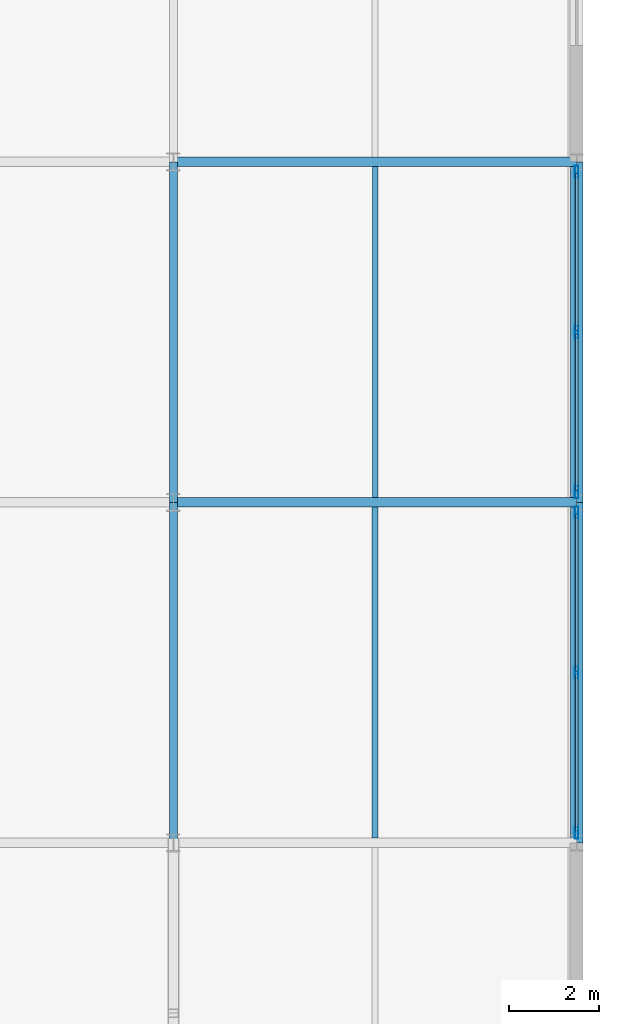
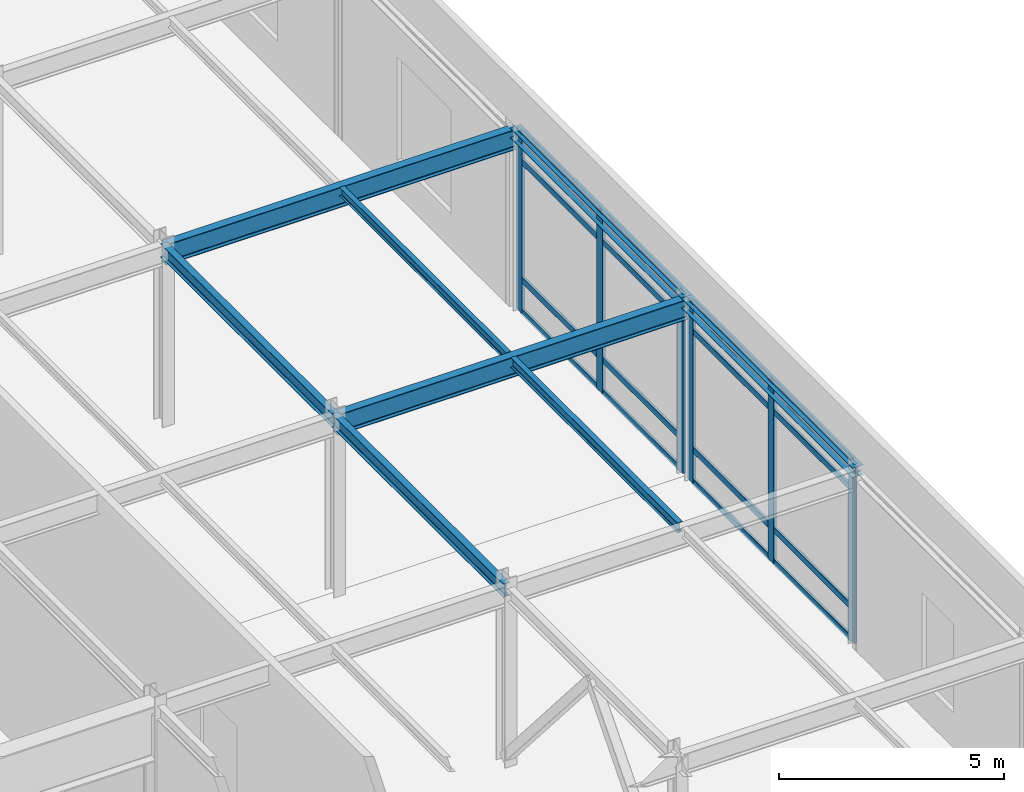
# One storey, part 46 of 79: 22 members, 8 beams, 2 elements without a shape of their own.
"""IFC4 building model written with IfcOpenShell, lengths in metres."""

from ifc_helpers import new_model, si_unit, direction, frame, origin, origin_2d, place, context, subcontext, project, spatial, hollow_rectangle, i_section, extrude, material, layer, layer_set, material_profile, profile_set, type_object, element, aggregate, save


model = new_model("IFC4")

# Units and contexts
model_context = context("Model", 3, precision=1e-05, world=origin(), true_north=direction((0.0, 1.0)))
body_context = subcontext(model_context, "Body", "Model", "MODEL_VIEW")
ifc_project = project(units=[si_unit("LENGTHUNIT", "METRE"), si_unit("AREAUNIT", "SQUARE_METRE"), si_unit("VOLUMEUNIT", "CUBIC_METRE"), si_unit("PLANEANGLEUNIT", "RADIAN"), si_unit("MASSUNIT", "GRAM", prefix="KILO")], contexts=[model_context])

# Site, building, storey
site_placement = place(None, origin())
site = spatial("IfcSite", under=ifc_project, at=site_placement, CompositionType="ELEMENT")
building_placement = place(site_placement, origin())
building = spatial("IfcBuilding", under=site, at=building_placement, Name="Shalkamar Park Central Library", CompositionType="ELEMENT")
storey_placement = place(building_placement, frame((0.0, 0.0, 10.5)))
storey = spatial("IfcBuildingStorey", under=building, at=storey_placement, Name="L03", CompositionType="ELEMENT", Elevation=10.5)

# Beams
ifc_material_1 = material(Name="Steel S355", Category="steel")
ifc_material_profile_1 = material_profile(ifc_material_1, i_section(OverallWidth=0.1201171875, OverallDepth=0.239990234375, WebThickness=0.006103515625, FlangeThickness=0.009765625, FilletRadius=0.014892578125, at=origin_2d()), Name="IPE 240")
ifc_profile_set_1 = profile_set([ifc_material_profile_1], Name="Steel S355")
beam_type_1 = type_object("IfcBeamType", Name="Composite Floor Joist IPE240", PredefinedType="JOIST", material=ifc_profile_set_1)
beam_1_placement = place(storey_placement, frame((268.5, 285.702880859375, 4.72998046875), z_axis=(0.0, 1.0, 0.0), x_axis=(-1.0, 0.0, 0.0)))
element("IfcBeam", 1, at=beam_1_placement, inside=storey, type_object=beam_type_1, Name="Composite Joist 19/G-1 (L03)", PredefinedType="JOIST", context=body_context, shape_type="SweptSolid", body=[
    extrude(i_section(OverallWidth=0.1201171875, OverallDepth=0.239990234375, WebThickness=0.006103515625, FlangeThickness=0.009765625, FilletRadius=0.014892578125, at=origin_2d()), origin(), (0.0, 0.0, 1.0), 7.39404296875),
])
ifc_material_profile_2 = material_profile(ifc_material_1, i_section(OverallWidth=0.135009765625, OverallDepth=0.27001953125, WebThickness=0.006591796875, FlangeThickness=0.01025390625, FilletRadius=0.014892578125, at=origin_2d()), Name="IPE 270")
ifc_profile_set_2 = profile_set([ifc_material_profile_2], Name="Steel S355")
beam_type_2 = type_object("IfcBeamType", Name="Composite Floor Joist IPE270", PredefinedType="JOIST", material=ifc_profile_set_2)
beam_2_placement = place(storey_placement, frame((268.5, 278.10302734375, 4.715087890625), z_axis=(0.0, 1.0, 0.0), x_axis=(-1.0, 0.0, 0.0)))
element("IfcBeam", 2, at=beam_2_placement, inside=storey, type_object=beam_type_2, Name="Composite Joist 19/F-1 (L03)", PredefinedType="JOIST", context=body_context, shape_type="SweptSolid", body=[
    extrude(i_section(OverallWidth=0.135009765625, OverallDepth=0.27001953125, WebThickness=0.006591796875, FlangeThickness=0.01025390625, FilletRadius=0.014892578125, at=origin_2d()), origin(), (0.0, 0.0, 1.0), 7.39404296875),
])

# Curtain wall, members
ifc_material_2 = material(Name="Thermally broken aluminium and triple low-e curtain wall", Category="aluminium")
ifc_layer_1 = layer(ifc_material_2, 0.2548828125)
ifc_layer_set_1 = layer_set([ifc_layer_1], Name="UnitisedCurtainWall_49")
curtain_wall_type_1 = type_object("IfcCurtainWallType", Name="Unitised Curtain Wall 49", PredefinedType="USERDEFINED", material=ifc_layer_set_1)
curtain_wall_1_placement = place(storey_placement, origin())
curtain_wall_1 = element("IfcCurtainWall", 3, at=curtain_wall_1_placement, inside=storey, type_object=curtain_wall_type_1, Name="Unitised Curtain Wall CW-L03-063", ObjectType="UNITISED CURTAIN WALL", PredefinedType="USERDEFINED")
ifc_material_3 = material(Name="Aluminium 6060-T66", Category="aluminium")
ifc_material_profile_3 = material_profile(ifc_material_3, hollow_rectangle(XDim=0.080078125, YDim=0.2548828125, WallThickness=0.00439453125, InnerFilletRadius=0.00439453125, OuterFilletRadius=0.0068359375, at=origin_2d()), Name="ALU 80x255x4.5")
ifc_profile_set_3 = profile_set([ifc_material_profile_3], Name="Aluminium 6060-T66")
member_type_1 = type_object("IfcMemberType", Name="Curtain Wall Mullion ALU80x255", PredefinedType="MULLION", material=ifc_profile_set_3)
member_1_placement = place(storey_placement, frame((273.0, 278.22412109375, 0.0), z_axis=(0.0, 0.0, 1.0), x_axis=(-1.0, 0.0, 0.0)))
member_1 = element("IfcMember", 4, at=member_1_placement, type_object=member_type_1, Name="CW-49 mullion 1", PredefinedType="MULLION", context=body_context, shape_type="SweptSolid", body=[
    extrude(hollow_rectangle(XDim=0.080078125, YDim=0.2548828125, WallThickness=0.00439453125, InnerFilletRadius=0.00439453125, OuterFilletRadius=0.0068359375, at=origin_2d()), origin(), (0.0, 0.0, 1.0), 4.85009765625),
])
member_2_placement = place(storey_placement, frame((273.0, 281.800048828125, 0.0), z_axis=(0.0, 0.0, 1.0), x_axis=(-1.0, 0.0, 0.0)))
member_2 = element("IfcMember", 5, at=member_2_placement, type_object=member_type_1, Name="CW-49 mullion 2", PredefinedType="MULLION", context=body_context, shape_type="SweptSolid", body=[
    extrude(hollow_rectangle(XDim=0.080078125, YDim=0.2548828125, WallThickness=0.00439453125, InnerFilletRadius=0.00439453125, OuterFilletRadius=0.0068359375, at=origin_2d()), origin(), (0.0, 0.0, 1.0), 4.85009765625),
])
member_3_placement = place(storey_placement, frame((273.0, 285.3759765625, 0.0), z_axis=(0.0, 0.0, 1.0), x_axis=(-1.0, 0.0, 0.0)))
member_3 = element("IfcMember", 6, at=member_3_placement, type_object=member_type_1, Name="CW-49 mullion 3", PredefinedType="MULLION", context=body_context, shape_type="SweptSolid", body=[
    extrude(hollow_rectangle(XDim=0.080078125, YDim=0.2548828125, WallThickness=0.00439453125, InnerFilletRadius=0.00439453125, OuterFilletRadius=0.0068359375, at=origin_2d()), origin(), (0.0, 0.0, 1.0), 4.85009765625),
])

ifc_layer_2 = layer(ifc_material_2, 0.27001953125)
ifc_layer_set_2 = layer_set([ifc_layer_2], Name="UnitisedCurtainWall_50")
curtain_wall_type_2 = type_object("IfcCurtainWallType", Name="Unitised Curtain Wall 50", PredefinedType="USERDEFINED", material=ifc_layer_set_2)
curtain_wall_2_placement = place(storey_placement, origin())
curtain_wall_2 = element("IfcCurtainWall", 7, at=curtain_wall_2_placement, inside=storey, type_object=curtain_wall_type_2, Name="Unitised Curtain Wall CW-L03-064", ObjectType="UNITISED CURTAIN WALL", PredefinedType="USERDEFINED")
ifc_material_profile_4 = material_profile(ifc_material_3, hollow_rectangle(XDim=0.080078125, YDim=0.27001953125, WallThickness=0.0048828125, InnerFilletRadius=0.0048828125, OuterFilletRadius=0.007568359375, at=origin_2d()), Name="ALU 80x270x5")
ifc_profile_set_4 = profile_set([ifc_material_profile_4], Name="Aluminium 6060-T66")
member_type_2 = type_object("IfcMemberType", Name="Curtain Wall Mullion ALU80x270", PredefinedType="MULLION", material=ifc_profile_set_4)
member_4_placement = place(storey_placement, frame((273.0, 285.823974609375, 0.0), z_axis=(0.0, 0.0, 1.0), x_axis=(-1.0, 0.0, 0.0)))
member_4 = element("IfcMember", 8, at=member_4_placement, type_object=member_type_2, Name="CW-50 mullion 1", PredefinedType="MULLION", context=body_context, shape_type="SweptSolid", body=[
    extrude(hollow_rectangle(XDim=0.080078125, YDim=0.27001953125, WallThickness=0.0048828125, InnerFilletRadius=0.0048828125, OuterFilletRadius=0.007568359375, at=origin_2d()), origin(), (0.0, 0.0, 1.0), 4.85009765625),
])
member_5_placement = place(storey_placement, frame((273.0, 289.39990234375, 0.0), z_axis=(0.0, 0.0, 1.0), x_axis=(-1.0, 0.0, 0.0)))
member_5 = element("IfcMember", 9, at=member_5_placement, type_object=member_type_2, Name="CW-50 mullion 2", PredefinedType="MULLION", context=body_context, shape_type="SweptSolid", body=[
    extrude(hollow_rectangle(XDim=0.080078125, YDim=0.27001953125, WallThickness=0.0048828125, InnerFilletRadius=0.0048828125, OuterFilletRadius=0.007568359375, at=origin_2d()), origin(), (0.0, 0.0, 1.0), 4.85009765625),
])
member_6_placement = place(storey_placement, frame((273.0, 292.97607421875, 0.0), z_axis=(0.0, 0.0, 1.0), x_axis=(-1.0, 0.0, 0.0)))
member_6 = element("IfcMember", 10, at=member_6_placement, type_object=member_type_2, Name="CW-50 mullion 3", PredefinedType="MULLION", context=body_context, shape_type="SweptSolid", body=[
    extrude(hollow_rectangle(XDim=0.080078125, YDim=0.27001953125, WallThickness=0.0048828125, InnerFilletRadius=0.0048828125, OuterFilletRadius=0.007568359375, at=origin_2d()), origin(), (0.0, 0.0, 1.0), 4.85009765625),
])

# Member
ifc_material_profile_5 = material_profile(ifc_material_3, hollow_rectangle(XDim=0.06494140625, YDim=0.169921875, WallThickness=0.00390625, InnerFilletRadius=0.00390625, OuterFilletRadius=0.006103515625, at=origin_2d()), Name="ALU 65x170x4")
ifc_profile_set_5 = profile_set([ifc_material_profile_5], Name="Aluminium 6060-T66")
member_type_3 = type_object("IfcMemberType", Name="Curtain Wall Transom ALU65x170", PredefinedType="USERDEFINED", material=ifc_profile_set_5)
member_7_placement = place(storey_placement, frame((273.0, 278.263916015625, 0.032470703125), z_axis=(0.0, 1.0, 0.0), x_axis=(-1.0, 0.0, 0.0)))
member_7 = element("IfcMember", 11, at=member_7_placement, type_object=member_type_3, Name="CW-49 transom 1.1", ObjectType="TRANSOM", PredefinedType="USERDEFINED", context=body_context, shape_type="SweptSolid", body=[
    extrude(hollow_rectangle(XDim=0.06494140625, YDim=0.169921875, WallThickness=0.00390625, InnerFilletRadius=0.00390625, OuterFilletRadius=0.006103515625, at=origin_2d()), origin(), (0.0, 0.0, 1.0), 3.49609375),
])

member_8_placement = place(storey_placement, frame((273.0, 278.263916015625, 0.89990234375), z_axis=(0.0, 1.0, 0.0), x_axis=(-1.0, 0.0, 0.0)))
member_8 = element("IfcMember", 12, at=member_8_placement, type_object=member_type_3, Name="CW-49 transom 1.2", ObjectType="TRANSOM", PredefinedType="USERDEFINED", context=body_context, shape_type="SweptSolid", body=[
    extrude(hollow_rectangle(XDim=0.06494140625, YDim=0.169921875, WallThickness=0.00390625, InnerFilletRadius=0.00390625, OuterFilletRadius=0.006103515625, at=origin_2d()), origin(), (0.0, 0.0, 1.0), 3.49609375),
])

member_9_placement = place(storey_placement, frame((273.0, 278.263916015625, 4.10009765625), z_axis=(0.0, 1.0, 0.0), x_axis=(-1.0, 0.0, 0.0)))
member_9 = element("IfcMember", 13, at=member_9_placement, type_object=member_type_3, Name="CW-49 transom 1.3", ObjectType="TRANSOM", PredefinedType="USERDEFINED", context=body_context, shape_type="SweptSolid", body=[
    extrude(hollow_rectangle(XDim=0.06494140625, YDim=0.169921875, WallThickness=0.00390625, InnerFilletRadius=0.00390625, OuterFilletRadius=0.006103515625, at=origin_2d()), origin(), (0.0, 0.0, 1.0), 3.49609375),
])

member_10_placement = place(storey_placement, frame((273.0, 278.263916015625, 4.8173828125), z_axis=(0.0, 1.0, 0.0), x_axis=(-1.0, 0.0, 0.0)))
member_10 = element("IfcMember", 14, at=member_10_placement, type_object=member_type_3, Name="CW-49 transom 1.4", ObjectType="TRANSOM", PredefinedType="USERDEFINED", context=body_context, shape_type="SweptSolid", body=[
    extrude(hollow_rectangle(XDim=0.06494140625, YDim=0.169921875, WallThickness=0.00390625, InnerFilletRadius=0.00390625, OuterFilletRadius=0.006103515625, at=origin_2d()), origin(), (0.0, 0.0, 1.0), 3.49609375),
])

member_11_placement = place(storey_placement, frame((273.0, 281.840087890625, 0.032470703125), z_axis=(0.0, 1.0, 0.0), x_axis=(-1.0, 0.0, 0.0)))
member_11 = element("IfcMember", 15, at=member_11_placement, type_object=member_type_3, Name="CW-49 transom 2.1", ObjectType="TRANSOM", PredefinedType="USERDEFINED", context=body_context, shape_type="SweptSolid", body=[
    extrude(hollow_rectangle(XDim=0.06494140625, YDim=0.169921875, WallThickness=0.00390625, InnerFilletRadius=0.00390625, OuterFilletRadius=0.006103515625, at=origin_2d()), origin(), (0.0, 0.0, 1.0), 3.495849609375),
])

member_12_placement = place(storey_placement, frame((273.0, 281.840087890625, 0.89990234375), z_axis=(0.0, 1.0, 0.0), x_axis=(-1.0, 0.0, 0.0)))
member_12 = element("IfcMember", 16, at=member_12_placement, type_object=member_type_3, Name="CW-49 transom 2.2", ObjectType="TRANSOM", PredefinedType="USERDEFINED", context=body_context, shape_type="SweptSolid", body=[
    extrude(hollow_rectangle(XDim=0.06494140625, YDim=0.169921875, WallThickness=0.00390625, InnerFilletRadius=0.00390625, OuterFilletRadius=0.006103515625, at=origin_2d()), origin(), (0.0, 0.0, 1.0), 3.495849609375),
])

member_13_placement = place(storey_placement, frame((273.0, 281.840087890625, 4.10009765625), z_axis=(0.0, 1.0, 0.0), x_axis=(-1.0, 0.0, 0.0)))
member_13 = element("IfcMember", 17, at=member_13_placement, type_object=member_type_3, Name="CW-49 transom 2.3", ObjectType="TRANSOM", PredefinedType="USERDEFINED", context=body_context, shape_type="SweptSolid", body=[
    extrude(hollow_rectangle(XDim=0.06494140625, YDim=0.169921875, WallThickness=0.00390625, InnerFilletRadius=0.00390625, OuterFilletRadius=0.006103515625, at=origin_2d()), origin(), (0.0, 0.0, 1.0), 3.495849609375),
])

member_14_placement = place(storey_placement, frame((273.0, 281.840087890625, 4.8173828125), z_axis=(0.0, 1.0, 0.0), x_axis=(-1.0, 0.0, 0.0)))
member_14 = element("IfcMember", 18, at=member_14_placement, type_object=member_type_3, Name="CW-49 transom 2.4", ObjectType="TRANSOM", PredefinedType="USERDEFINED", context=body_context, shape_type="SweptSolid", body=[
    extrude(hollow_rectangle(XDim=0.06494140625, YDim=0.169921875, WallThickness=0.00390625, InnerFilletRadius=0.00390625, OuterFilletRadius=0.006103515625, at=origin_2d()), origin(), (0.0, 0.0, 1.0), 3.495849609375),
])

aggregate(curtain_wall_1, [member_1, member_2, member_3, member_7, member_8, member_9, member_10, member_11, member_12, member_13, member_14])

ifc_material_profile_6 = material_profile(ifc_material_3, hollow_rectangle(XDim=0.06494140625, YDim=0.175048828125, WallThickness=0.00439453125, InnerFilletRadius=0.00439453125, OuterFilletRadius=0.0068359375, at=origin_2d()), Name="ALU 65x175x4.5")
ifc_profile_set_6 = profile_set([ifc_material_profile_6], Name="Aluminium 6060-T66")
member_type_4 = type_object("IfcMemberType", Name="Curtain Wall Transom ALU65x175", PredefinedType="USERDEFINED", material=ifc_profile_set_6)
member_15_placement = place(storey_placement, frame((273.0, 285.864013671875, 0.032470703125), z_axis=(0.0, 1.0, 0.0), x_axis=(-1.0, 0.0, 0.0)))
member_15 = element("IfcMember", 19, at=member_15_placement, type_object=member_type_4, Name="CW-50 transom 1.1", ObjectType="TRANSOM", PredefinedType="USERDEFINED", context=body_context, shape_type="SweptSolid", body=[
    extrude(hollow_rectangle(XDim=0.06494140625, YDim=0.175048828125, WallThickness=0.00439453125, InnerFilletRadius=0.00439453125, OuterFilletRadius=0.0068359375, at=origin_2d()), origin(), (0.0, 0.0, 1.0), 3.49609375),
])

member_16_placement = place(storey_placement, frame((273.0, 285.864013671875, 0.89990234375), z_axis=(0.0, 1.0, 0.0), x_axis=(-1.0, 0.0, 0.0)))
member_16 = element("IfcMember", 20, at=member_16_placement, type_object=member_type_4, Name="CW-50 transom 1.2", ObjectType="TRANSOM", PredefinedType="USERDEFINED", context=body_context, shape_type="SweptSolid", body=[
    extrude(hollow_rectangle(XDim=0.06494140625, YDim=0.175048828125, WallThickness=0.00439453125, InnerFilletRadius=0.00439453125, OuterFilletRadius=0.0068359375, at=origin_2d()), origin(), (0.0, 0.0, 1.0), 3.49609375),
])

member_17_placement = place(storey_placement, frame((273.0, 285.864013671875, 4.10009765625), z_axis=(0.0, 1.0, 0.0), x_axis=(-1.0, 0.0, 0.0)))
member_17 = element("IfcMember", 21, at=member_17_placement, type_object=member_type_4, Name="CW-50 transom 1.3", ObjectType="TRANSOM", PredefinedType="USERDEFINED", context=body_context, shape_type="SweptSolid", body=[
    extrude(hollow_rectangle(XDim=0.06494140625, YDim=0.175048828125, WallThickness=0.00439453125, InnerFilletRadius=0.00439453125, OuterFilletRadius=0.0068359375, at=origin_2d()), origin(), (0.0, 0.0, 1.0), 3.49609375),
])

member_18_placement = place(storey_placement, frame((273.0, 285.864013671875, 4.8173828125), z_axis=(0.0, 1.0, 0.0), x_axis=(-1.0, 0.0, 0.0)))
member_18 = element("IfcMember", 22, at=member_18_placement, type_object=member_type_4, Name="CW-50 transom 1.4", ObjectType="TRANSOM", PredefinedType="USERDEFINED", context=body_context, shape_type="SweptSolid", body=[
    extrude(hollow_rectangle(XDim=0.06494140625, YDim=0.175048828125, WallThickness=0.00439453125, InnerFilletRadius=0.00439453125, OuterFilletRadius=0.0068359375, at=origin_2d()), origin(), (0.0, 0.0, 1.0), 3.49609375),
])

member_19_placement = place(storey_placement, frame((273.0, 289.43994140625, 0.032470703125), z_axis=(0.0, 1.0, 0.0), x_axis=(-1.0, 0.0, 0.0)))
member_19 = element("IfcMember", 23, at=member_19_placement, type_object=member_type_4, Name="CW-50 transom 2.1", ObjectType="TRANSOM", PredefinedType="USERDEFINED", context=body_context, shape_type="SweptSolid", body=[
    extrude(hollow_rectangle(XDim=0.06494140625, YDim=0.175048828125, WallThickness=0.00439453125, InnerFilletRadius=0.00439453125, OuterFilletRadius=0.0068359375, at=origin_2d()), origin(), (0.0, 0.0, 1.0), 3.49609375),
])

member_20_placement = place(storey_placement, frame((273.0, 289.43994140625, 0.89990234375), z_axis=(0.0, 1.0, 0.0), x_axis=(-1.0, 0.0, 0.0)))
member_20 = element("IfcMember", 24, at=member_20_placement, type_object=member_type_4, Name="CW-50 transom 2.2", ObjectType="TRANSOM", PredefinedType="USERDEFINED", context=body_context, shape_type="SweptSolid", body=[
    extrude(hollow_rectangle(XDim=0.06494140625, YDim=0.175048828125, WallThickness=0.00439453125, InnerFilletRadius=0.00439453125, OuterFilletRadius=0.0068359375, at=origin_2d()), origin(), (0.0, 0.0, 1.0), 3.49609375),
])

member_21_placement = place(storey_placement, frame((273.0, 289.43994140625, 4.10009765625), z_axis=(0.0, 1.0, 0.0), x_axis=(-1.0, 0.0, 0.0)))
member_21 = element("IfcMember", 25, at=member_21_placement, type_object=member_type_4, Name="CW-50 transom 2.3", ObjectType="TRANSOM", PredefinedType="USERDEFINED", context=body_context, shape_type="SweptSolid", body=[
    extrude(hollow_rectangle(XDim=0.06494140625, YDim=0.175048828125, WallThickness=0.00439453125, InnerFilletRadius=0.00439453125, OuterFilletRadius=0.0068359375, at=origin_2d()), origin(), (0.0, 0.0, 1.0), 3.49609375),
])

member_22_placement = place(storey_placement, frame((273.0, 289.43994140625, 4.8173828125), z_axis=(0.0, 1.0, 0.0), x_axis=(-1.0, 0.0, 0.0)))
member_22 = element("IfcMember", 26, at=member_22_placement, type_object=member_type_4, Name="CW-50 transom 2.4", ObjectType="TRANSOM", PredefinedType="USERDEFINED", context=body_context, shape_type="SweptSolid", body=[
    extrude(hollow_rectangle(XDim=0.06494140625, YDim=0.175048828125, WallThickness=0.00439453125, InnerFilletRadius=0.00439453125, OuterFilletRadius=0.0068359375, at=origin_2d()), origin(), (0.0, 0.0, 1.0), 3.49609375),
])

aggregate(curtain_wall_2, [member_4, member_5, member_6, member_15, member_16, member_17, member_18, member_19, member_20, member_21, member_22])

# Beams
ifc_material_profile_7 = material_profile(ifc_material_1, i_section(OverallWidth=0.280029296875, OverallDepth=0.27001953125, WebThickness=0.008056640625, FlangeThickness=0.012939453125, FilletRadius=0.02392578125, at=origin_2d()), Name="HEA 280")
ifc_profile_set_7 = profile_set([ifc_material_profile_7], Name="Steel S355")
beam_type_3 = type_object("IfcBeamType", Name="Perimeter Spandrel Beam HEA280", PredefinedType="SPANDREL", material=ifc_profile_set_7)
beam_3_placement = place(storey_placement, frame((273.0, 278.0, 4.715087890625), z_axis=(0.0, 1.0, 0.0), x_axis=(-1.0, 0.0, 0.0)))
element("IfcBeam", 27, at=beam_3_placement, inside=storey, type_object=beam_type_3, Name="Beam 20:F-G (L03)", PredefinedType="SPANDREL", context=body_context, shape_type="SweptSolid", body=[
    extrude(i_section(OverallWidth=0.280029296875, OverallDepth=0.27001953125, WebThickness=0.008056640625, FlangeThickness=0.012939453125, FilletRadius=0.02392578125, at=origin_2d()), origin(), (0.0, 0.0, 1.0), 7.60009765625),
])
beam_4_placement = place(storey_placement, frame((273.0, 285.60009765625, 4.715087890625), z_axis=(0.0, 1.0, 0.0), x_axis=(-1.0, 0.0, 0.0)))
element("IfcBeam", 28, at=beam_4_placement, inside=storey, type_object=beam_type_3, Name="Beam 20:G-H (L03)", PredefinedType="SPANDREL", context=body_context, shape_type="SweptSolid", body=[
    extrude(i_section(OverallWidth=0.280029296875, OverallDepth=0.27001953125, WebThickness=0.008056640625, FlangeThickness=0.012939453125, FilletRadius=0.02392578125, at=origin_2d()), origin(), (0.0, 0.0, 1.0), 7.599853515625),
])
ifc_material_profile_8 = material_profile(ifc_material_1, i_section(OverallWidth=0.169921875, OverallDepth=0.360107421875, WebThickness=0.008056640625, FlangeThickness=0.0126953125, FilletRadius=0.01806640625, at=origin_2d()), Name="IPE 360")
ifc_profile_set_8 = profile_set([ifc_material_profile_8], Name="Steel S355")
beam_type_4 = type_object("IfcBeamType", Name="Primary Girder IPE360", PredefinedType="BEAM", material=ifc_profile_set_8)
beam_5_placement = place(storey_placement, frame((264.0, 278.0, 4.659912109375), z_axis=(0.0, 1.0, 0.0), x_axis=(-1.0, 0.0, 0.0)))
element("IfcBeam", 29, at=beam_5_placement, inside=storey, type_object=beam_type_4, Name="Beam 19:F-G (L03)", PredefinedType="BEAM", context=body_context, shape_type="SweptSolid", body=[
    extrude(i_section(OverallWidth=0.169921875, OverallDepth=0.360107421875, WebThickness=0.008056640625, FlangeThickness=0.0126953125, FilletRadius=0.01806640625, at=origin_2d()), origin(), (0.0, 0.0, 1.0), 7.60009765625),
])
beam_6_placement = place(storey_placement, frame((264.0, 285.60009765625, 4.659912109375), z_axis=(0.0, 1.0, 0.0), x_axis=(-1.0, 0.0, 0.0)))
element("IfcBeam", 30, at=beam_6_placement, inside=storey, type_object=beam_type_4, Name="Beam 19:G-H (L03)", PredefinedType="BEAM", context=body_context, shape_type="SweptSolid", body=[
    extrude(i_section(OverallWidth=0.169921875, OverallDepth=0.360107421875, WebThickness=0.008056640625, FlangeThickness=0.0126953125, FilletRadius=0.01806640625, at=origin_2d()), origin(), (0.0, 0.0, 1.0), 7.599853515625),
])
ifc_material_profile_9 = material_profile(ifc_material_1, i_section(OverallWidth=0.2099609375, OverallDepth=0.550048828125, WebThickness=0.010986328125, FlangeThickness=0.01708984375, FilletRadius=0.02392578125, at=origin_2d()), Name="IPE 550")
ifc_profile_set_9 = profile_set([ifc_material_profile_9], Name="Steel S355")
beam_type_5 = type_object("IfcBeamType", Name="Primary Girder IPE550", PredefinedType="BEAM", material=ifc_profile_set_9)
for number, where, z_axis, x_axis, name in (
    (31, (264.0, 285.60009765625, 4.56494140625), (1.0, 0.0, 0.0), (0.0, 1.0, 0.0), "Beam G:19-20 (L03)"),
    (32, (264.0, 293.199951171875, 4.56494140625), (1.0, 0.0, 0.0), (0.0, 1.0, 0.0), "Beam H:19-20 (L03)"),
):
    element("IfcBeam", number, at=place(storey_placement, frame(where, z_axis=z_axis, x_axis=x_axis)), inside=storey, type_object=beam_type_5, Name=name, PredefinedType="BEAM", context=body_context, shape_type="SweptSolid", body=[
        extrude(i_section(OverallWidth=0.2099609375, OverallDepth=0.550048828125, WebThickness=0.010986328125, FlangeThickness=0.01708984375, FilletRadius=0.02392578125, at=origin_2d()), origin(), (0.0, 0.0, 1.0), 9.0),
    ])

save(model, "model.ifc")
